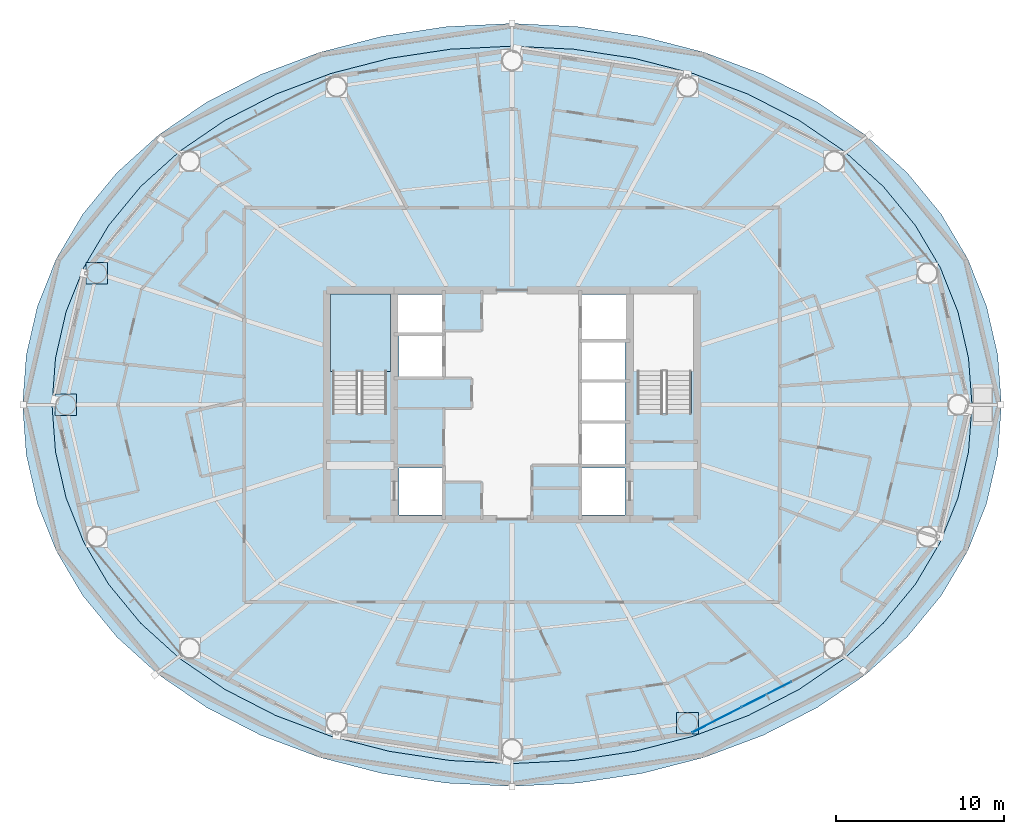
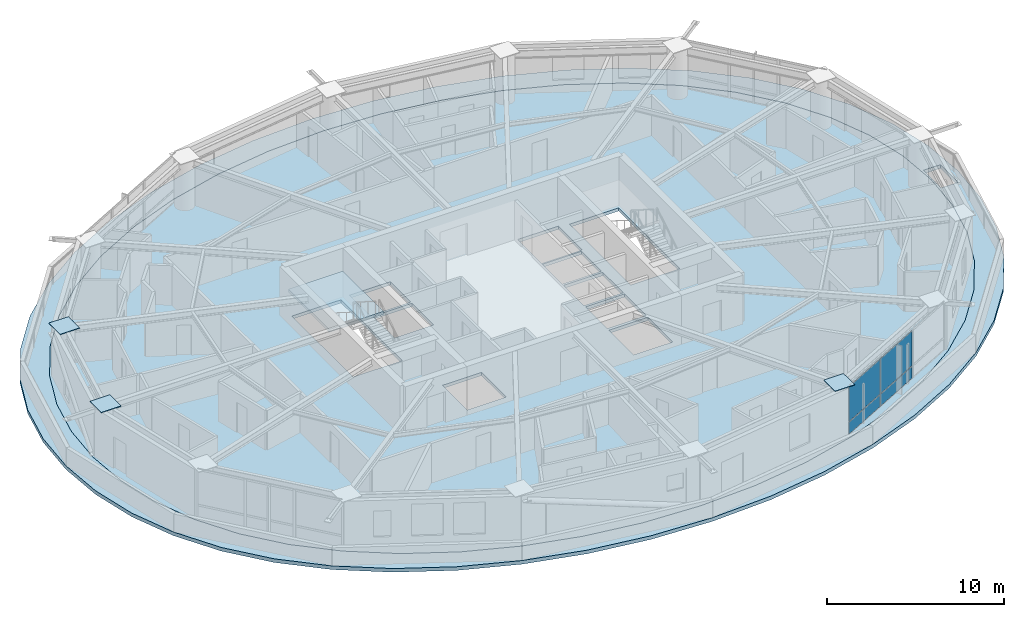
# One storey, part 17 of 27: 7 plates, 3 slabs, 2 elements without a shape of their own.
"""IFC4 building model written with IfcOpenShell, lengths in metres."""

from ifc_helpers import new_model, si_unit, direction, frame, origin, origin_2d, place, context, subcontext, project, spatial, polyline, rectangle, outline, extrude, material, layer, layer_set, type_object, element, aggregate, save


model = new_model("IFC4")

# Units and contexts
model_context = context("Model", 3, precision=1e-05, world=origin(), true_north=direction((0.0, 1.0)))
body_context = subcontext(model_context, "Body", "Model", "MODEL_VIEW")
ifc_project = project(units=[si_unit("LENGTHUNIT", "METRE"), si_unit("AREAUNIT", "SQUARE_METRE"), si_unit("VOLUMEUNIT", "CUBIC_METRE"), si_unit("PLANEANGLEUNIT", "RADIAN"), si_unit("MASSUNIT", "GRAM", prefix="KILO")], contexts=[model_context])

# Site, building, storey
site_placement = place(None, origin())
site = spatial("IfcSite", under=ifc_project, at=site_placement, CompositionType="ELEMENT")
building_placement = place(site_placement, origin())
building = spatial("IfcBuilding", under=site, at=building_placement, Name="Sarneth Arch Tower", CompositionType="ELEMENT")
storey_placement = place(building_placement, frame((0.0, 0.0, 150.60009765625)))
storey = spatial("IfcBuildingStorey", under=building, at=storey_placement, Name="L37", CompositionType="ELEMENT", Elevation=150.60009765625)

# Curtain wall, plates
ifc_material_1 = material(Name="Anodised aluminium Type AA25 and solar-control low-e laminated IGU", Category="aluminium")
ifc_layer_1 = layer(ifc_material_1, 0.169921875)
ifc_layer_set_1 = layer_set([ifc_layer_1], Name="Anodised aluminium Type AA25 and solar-control low-e laminated IGU")
curtain_wall_type = type_object("IfcCurtainWallType", Name="CW-RES-MID", PredefinedType="NOTDEFINED", material=ifc_layer_set_1)
curtain_wall_placement = place(storey_placement, origin())
curtain_wall = element("IfcCurtainWall", 1, at=curtain_wall_placement, inside=storey, type_object=curtain_wall_type, Name="L37 Unitised curtain wall facet 14", PredefinedType="NOTDEFINED")
ifc_material_2 = material(Name="Solar-control low-e laminated IGU", Category="glass")
ifc_layer_2 = layer(ifc_material_2, 0.028076171875)
ifc_layer_set_2 = layer_set([ifc_layer_2], Name="Solar-control low-e laminated IGU")
plate_type_1 = type_object("IfcPlateType", Name="CW-PANEL", PredefinedType="CURTAIN_PANEL", material=ifc_layer_set_2)
plate_1_placement = place(storey_placement, frame((60.16162109375, 23.29296875, 0.059814453125), z_axis=(0.0, 0.0, 1.0), x_axis=(0.88987293003, 0.456208470329, 0.0)))
plate_1 = element("IfcPlate", 2, at=plate_1_placement, type_object=plate_type_1, Name="Curtain wall glazed vision pane CW-L37-F14/P00-00", PredefinedType="CURTAIN_PANEL", context=body_context, shape_type="SweptSolid", body=[
    extrude(rectangle(XDim=3.248779296875, YDim=0.028076171875, at=origin_2d()), origin(), (0.0, 0.0, 1.0), 0.81005859375),
])
plate_2_placement = place(storey_placement, frame((60.16162109375, 23.29296875, 0.93017578125), z_axis=(0.0, 0.0, 1.0), x_axis=(0.88987293003, 0.456208470329, 0.0)))
plate_2 = element("IfcPlate", 3, at=plate_2_placement, type_object=plate_type_1, Name="Curtain wall glazed vision pane CW-L37-F14/P00-01", PredefinedType="CURTAIN_PANEL", context=body_context, shape_type="SweptSolid", body=[
    extrude(rectangle(XDim=3.248779296875, YDim=0.028076171875, at=origin_2d()), origin(), (0.0, 0.0, 1.0), 2.389892578125),
])
plate_3_placement = place(storey_placement, frame((63.119384765625, 24.809326171875, 0.059814453125), z_axis=(0.0, 0.0, 1.0), x_axis=(0.88987293003, 0.456208470329, 0.0)))
plate_3 = element("IfcPlate", 4, at=plate_3_placement, type_object=plate_type_1, Name="Curtain wall glazed vision pane CW-L37-F14/P01-00", PredefinedType="CURTAIN_PANEL", context=body_context, shape_type="SweptSolid", body=[
    extrude(rectangle(XDim=3.27880859375, YDim=0.028076171875, at=origin_2d()), origin(), (0.0, 0.0, 1.0), 0.81005859375),
])
plate_4_placement = place(storey_placement, frame((63.119384765625, 24.809326171875, 0.93017578125), z_axis=(0.0, 0.0, 1.0), x_axis=(0.88987293003, 0.456208470329, 0.0)))
plate_4 = element("IfcPlate", 5, at=plate_4_placement, type_object=plate_type_1, Name="Curtain wall glazed vision pane CW-L37-F14/P01-01", PredefinedType="CURTAIN_PANEL", context=body_context, shape_type="SweptSolid", body=[
    extrude(rectangle(XDim=3.27880859375, YDim=0.028076171875, at=origin_2d()), origin(), (0.0, 0.0, 1.0), 2.389892578125),
])
aggregate(curtain_wall, [plate_1, plate_2, plate_3, plate_4])

# Plates
ifc_material_3 = material(Name="Steel S355", Category="steel")
ifc_layer_3 = layer(ifc_material_3, 0.0400390625)
ifc_layer_set_3 = layer_set([ifc_layer_3], Name="Steel S355")
plate_type_2 = type_object("IfcPlateType", Name="PLT-SPLICE-40", PredefinedType="SHEET", material=ifc_layer_set_3)
for number, where, z_axis, x_axis, name in (
    (6, (23.337890625, 49.825927734375, 3.36181640625), (0.0, 0.0, 1.0), (1.0, 0.0, 0.0), "Steel end cap plate GP-2"),
    (7, (21.512939453125, 42.0, 3.36181640625), (0.0, 0.0, 1.0), (1.0, 0.0, 0.0), "Steel end cap plate GP-2"),
    (8, (58.421875, 23.106689453125, 3.36181640625), (0.0, 0.0, 1.0), (1.0, 0.0, 0.0), "Steel end cap plate GP-2"),
):
    element("IfcPlate", number, at=place(storey_placement, frame(where, z_axis=z_axis, x_axis=x_axis)), inside=storey, type_object=plate_type_2, Name=name, PredefinedType="SHEET", context=body_context, shape_type="SweptSolid", body=[
        extrude(rectangle(XDim=1.280029296875, YDim=1.280029296875, at=origin_2d()), origin(), (0.0, 0.0, 1.0), 0.035888671875),
    ])

# Stair, slab
ifc_material_4 = material(Name="Concrete C50/60", Category="concrete")
stair_type = type_object("IfcStairType", Name="STAIR-CORE-RC", PredefinedType="HALF_TURN_STAIR", material=ifc_material_4)
stair_placement = place(storey_placement, origin())
stair = element("IfcStair", 9, at=stair_placement, inside=storey, type_object=stair_type, Name="L37 Core Exit Stair 1", PredefinedType="HALF_TURN_STAIR")
ifc_material_5 = material(Name="Concrete C50/60", Category="concrete")
ifc_layer_4 = layer(ifc_material_5, 0.199951171875)
ifc_layer_set_4 = layer_set([ifc_layer_4], Name="Concrete C50/60")
slab_type_1 = type_object("IfcSlabType", Name="SLAB-LANDING-200", PredefinedType="LANDING", material=ifc_layer_set_4)
slab_1_placement = place(storey_placement, frame((0.0, 0.0, 1.599853515625)))
slab_1 = element("IfcSlab", 10, at=slab_1_placement, type_object=slab_type_1, Name="ST-1 landing 1", PredefinedType="LANDING", context=body_context, shape_type="SweptSolid", body=[
    extrude(outline(polyline([(37.22509765625, 43.985107421875), (40.77490234375, 43.985107421875), (40.77490234375, 48.574951171875), (37.22509765625, 48.574951171875), (37.22509765625, 43.985107421875)])), origin(), (0.0, 0.0, 1.0), 0.199951171875),
])
aggregate(stair, [slab_1])

# Slabs
ifc_material_6 = material(Name="Concrete C50/60", Category="concrete")
ifc_layer_5 = layer(ifc_material_6, 0.25)
ifc_layer_set_5 = layer_set([ifc_layer_5], Name="Concrete C50/60")
slab_type_2 = type_object("IfcSlabType", Name="SLAB-PODROOF-250", PredefinedType="ROOF", material=ifc_layer_set_5)
slab_2_placement = place(storey_placement, frame((0.0, 0.0, -0.25)))
element("IfcSlab", 11, at=slab_2_placement, inside=storey, type_object=slab_type_2, Name="L37 Setback maintenance roof ring", PredefinedType="ROOF", context=body_context, shape_type="SweptSolid", body=[
    extrude(outline(polyline([(77.062744140625, 42.0), (76.84228515625, 44.956298828125), (76.17724609375, 47.8623046875), (75.060546875, 50.667724609375), (73.486328125, 53.324951171875), (71.458251953125, 55.788330078125), (68.994384765625, 58.015869140625), (66.132080078125, 59.969482421875), (62.923828125, 61.615478515625), (59.435302734375, 62.92578125), (55.73779296875, 63.878173828125), (51.902587890625, 64.456298828125), (48.0, 64.64990234375), (44.097412109375, 64.456298828125), (40.26220703125, 63.878173828125), (36.564697265625, 62.92578125), (33.076171875, 61.615478515625), (29.867919921875, 59.969482421875), (27.005615234375, 58.015869140625), (24.541748046875, 55.788330078125), (22.513671875, 53.324951171875), (20.939453125, 50.667724609375), (19.82275390625, 47.8623046875), (19.15771484375, 44.956298828125), (18.937255859375, 42.0), (19.15771484375, 39.043701171875), (19.82275390625, 36.1376953125), (20.939453125, 33.332275390625), (22.513671875, 30.675048828125), (24.541748046875, 28.211669921875), (27.005615234375, 25.984130859375), (29.867919921875, 24.030517578125), (33.076171875, 22.384521484375), (36.564697265625, 21.07421875), (40.26220703125, 20.121826171875), (44.097412109375, 19.543701171875), (48.0, 19.35009765625), (51.902587890625, 19.543701171875), (55.73779296875, 20.121826171875), (59.435302734375, 21.07421875), (62.923828125, 22.384521484375), (66.132080078125, 24.030517578125), (68.994384765625, 25.984130859375), (71.458251953125, 28.211669921875), (73.486328125, 30.675048828125), (75.060546875, 33.332275390625), (76.17724609375, 36.1376953125), (76.84228515625, 39.043701171875), (77.062744140625, 42.0)]), holes=[polyline([(75.313232421875, 42.0), (75.10595703125, 44.7802734375), (74.48095703125, 47.512939453125), (73.431396484375, 50.151123046875), (71.9521484375, 52.64990234375), (70.0458984375, 54.966552734375), (67.730712890625, 57.061279296875), (65.04052734375, 58.8984375), (62.025390625, 60.4462890625), (58.7470703125, 61.6787109375), (55.27197265625, 62.57421875), (51.667724609375, 63.11767578125), (48.0, 63.300048828125), (44.332275390625, 63.11767578125), (40.72802734375, 62.57421875), (37.2529296875, 61.6787109375), (33.974609375, 60.4462890625), (30.95947265625, 58.8984375), (28.269287109375, 57.061279296875), (25.9541015625, 54.966552734375), (24.0478515625, 52.64990234375), (22.568603515625, 50.151123046875), (21.51904296875, 47.512939453125), (20.89404296875, 44.7802734375), (20.686767578125, 42.0), (20.89404296875, 39.2197265625), (21.51904296875, 36.487060546875), (22.568603515625, 33.848876953125), (24.0478515625, 31.35009765625), (25.9541015625, 29.033447265625), (28.269287109375, 26.938720703125), (30.95947265625, 25.1015625), (33.974609375, 23.5537109375), (37.2529296875, 22.3212890625), (40.72802734375, 21.42578125), (44.332275390625, 20.88232421875), (48.0, 20.699951171875), (51.667724609375, 20.88232421875), (55.27197265625, 21.42578125), (58.7470703125, 22.3212890625), (62.025390625, 23.5537109375), (65.04052734375, 25.1015625), (67.730712890625, 26.938720703125), (70.0458984375, 29.033447265625), (71.9521484375, 31.35009765625), (73.431396484375, 33.848876953125), (74.48095703125, 36.487060546875), (75.10595703125, 39.2197265625), (75.313232421875, 42.0)]), polyline([(75.39990234375, 41.0), (76.5, 41.0), (76.5, 43.0), (75.39990234375, 43.0), (75.39990234375, 41.0)])]), origin(), (0.0, 0.0, 1.0), 0.25),
])
ifc_material_7 = material(Name="Concrete C50/60", Category="concrete")
ifc_layer_6 = layer(ifc_material_7, 0.219970703125)
ifc_layer_set_6 = layer_set([ifc_layer_6], Name="Concrete C50/60")
slab_type_3 = type_object("IfcSlabType", Name="SLAB-TOWER-220", PredefinedType="FLOOR", material=ifc_layer_set_6)
slab_3_placement = place(storey_placement, frame((0.0, 0.0, -0.22021484375)))
element("IfcSlab", 12, at=slab_3_placement, inside=storey, type_object=slab_type_3, Name="L37 Elliptical floor slab", PredefinedType="FLOOR", context=body_context, shape_type="SweptSolid", body=[
    extrude(outline(polyline([(75.313232421875, 42.0), (75.10595703125, 44.7802734375), (74.48095703125, 47.512939453125), (73.431396484375, 50.151123046875), (71.9521484375, 52.64990234375), (70.0458984375, 54.966552734375), (67.730712890625, 57.061279296875), (65.04052734375, 58.8984375), (62.025390625, 60.4462890625), (58.7470703125, 61.6787109375), (55.27197265625, 62.57421875), (51.667724609375, 63.11767578125), (48.0, 63.300048828125), (44.332275390625, 63.11767578125), (40.72802734375, 62.57421875), (37.2529296875, 61.6787109375), (33.974609375, 60.4462890625), (30.95947265625, 58.8984375), (28.269287109375, 57.061279296875), (25.9541015625, 54.966552734375), (24.0478515625, 52.64990234375), (22.568603515625, 50.151123046875), (21.51904296875, 47.512939453125), (20.89404296875, 44.7802734375), (20.686767578125, 42.0), (20.89404296875, 39.2197265625), (21.51904296875, 36.487060546875), (22.568603515625, 33.848876953125), (24.0478515625, 31.35009765625), (25.9541015625, 29.033447265625), (28.269287109375, 26.938720703125), (30.95947265625, 25.1015625), (33.974609375, 23.5537109375), (37.2529296875, 22.3212890625), (40.72802734375, 21.42578125), (44.332275390625, 20.88232421875), (48.0, 20.699951171875), (51.667724609375, 20.88232421875), (55.27197265625, 21.42578125), (58.7470703125, 22.3212890625), (62.025390625, 23.5537109375), (65.04052734375, 25.1015625), (67.730712890625, 26.938720703125), (70.0458984375, 29.033447265625), (71.9521484375, 31.35009765625), (73.431396484375, 33.848876953125), (74.48095703125, 36.487060546875), (75.10595703125, 39.2197265625), (75.313232421875, 42.0)]), holes=[polyline([(37.35009765625, 41.489990234375), (40.550048828125, 41.489990234375), (40.550048828125, 48.39990234375), (37.35009765625, 48.39990234375), (37.35009765625, 41.489990234375)]), polyline([(55.449951171875, 41.489990234375), (58.64990234375, 41.489990234375), (58.64990234375, 48.39990234375), (55.449951171875, 48.39990234375), (55.449951171875, 41.489990234375)]), polyline([(41.199951171875, 46.25), (43.85009765625, 46.25), (43.85009765625, 48.550048828125), (41.199951171875, 48.550048828125), (41.199951171875, 46.25)]), polyline([(41.300048828125, 35.449951171875), (43.85009765625, 35.449951171875), (43.85009765625, 38.25), (41.300048828125, 38.25), (41.300048828125, 35.449951171875)]), polyline([(52.14990234375, 35.449951171875), (54.699951171875, 35.449951171875), (54.699951171875, 38.25), (52.14990234375, 38.25), (52.14990234375, 35.449951171875)]), polyline([(52.14990234375, 45.85009765625), (54.800048828125, 45.85009765625), (54.800048828125, 48.550048828125), (52.14990234375, 48.550048828125), (52.14990234375, 45.85009765625)]), polyline([(41.300048828125, 43.64990234375), (43.85009765625, 43.64990234375), (43.85009765625, 46.10009765625), (41.300048828125, 46.10009765625), (41.300048828125, 43.64990234375)]), polyline([(52.14990234375, 38.449951171875), (54.699951171875, 38.449951171875), (54.699951171875, 40.89990234375), (52.14990234375, 40.89990234375), (52.14990234375, 38.449951171875)]), polyline([(52.14990234375, 41.050048828125), (54.699951171875, 41.050048828125), (54.699951171875, 43.35009765625), (52.14990234375, 43.35009765625), (52.14990234375, 41.050048828125)]), polyline([(52.14990234375, 43.5), (54.699951171875, 43.5), (54.699951171875, 45.75), (52.14990234375, 45.75), (52.14990234375, 43.5)])]), origin(), (0.0, 0.0, 1.0), 0.22021484375),
])

save(model, "model.ifc")
